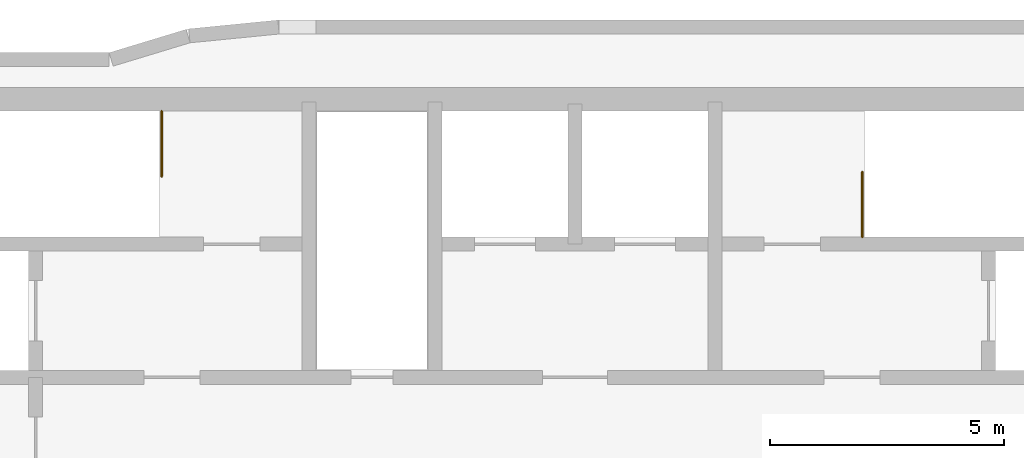
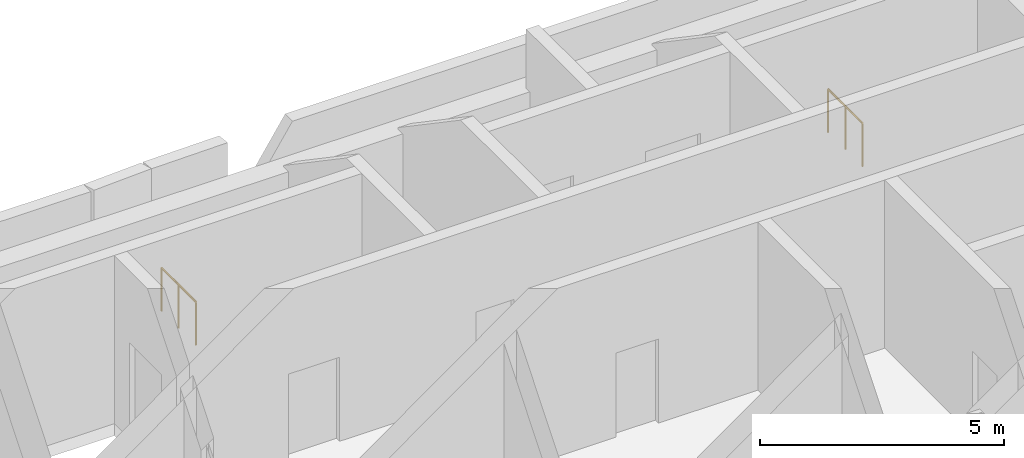
# One storey, part 9 of 9: 2 railings.
"""IFC4 building model written with IfcOpenShell, lengths in metres."""

from ifc_helpers import new_model, si_unit, direction, frame, origin, origin_2d, place, context, subcontext, project, spatial, circle, extrude, material, type_object, element, save


model = new_model("IFC4")

# Units and contexts
model_context = context("Model", 3, precision=1e-05, world=origin(), true_north=direction((0.0, 1.0)))
body_context = subcontext(model_context, "Body", "Model", "MODEL_VIEW")
ifc_project = project(units=[si_unit("LENGTHUNIT", "METRE"), si_unit("AREAUNIT", "SQUARE_METRE"), si_unit("VOLUMEUNIT", "CUBIC_METRE"), si_unit("PLANEANGLEUNIT", "RADIAN"), si_unit("MASSUNIT", "GRAM", prefix="KILO")], contexts=[model_context])

# Site, building, storey
site_placement = place(None, origin())
site = spatial("IfcSite", under=ifc_project, at=site_placement, CompositionType="ELEMENT")
building_placement = place(site_placement, origin())
building = spatial("IfcBuilding", under=site, at=building_placement, Name="Ogive Portal Towers", CompositionType="ELEMENT")
storey_placement = place(building_placement, frame((0.0, 0.0, 281.300048828125)))
storey = spatial("IfcBuildingStorey", under=building, at=storey_placement, Name="L68", CompositionType="ELEMENT", Elevation=281.300048828125)

# Railings
ifc_material = material(Name="Stainless steel balustrade", Category="steel")
railing_type = type_object("IfcRailingType", Name="INT-GUARD", PredefinedType="GUARDRAIL", material=ifc_material)
railing_1_placement = place(storey_placement, frame((37.5, 39.050048828125, 0.0)))
element("IfcRailing", 1, at=railing_1_placement, inside=storey, type_object=railing_type, Name="L68 ST-A1 top well guard 1", PredefinedType="GUARDRAIL", context=body_context, shape_type="SweptSolid", body=[
    extrude(circle(Radius=0.02392578125, at=origin_2d()), frame((0.0, 0.0, 1.076171875), z_axis=(0.0, -1.0, 0.0), x_axis=(1.0, 0.0, 0.0)), (0.0, 0.0, 1.0), 1.400146484375),
    extrude(circle(Radius=0.02099609375, at=origin_2d()), origin(), (0.0, 0.0, 1.0), 1.052001953125),
    extrude(circle(Radius=0.02099609375, at=origin_2d()), frame((0.0, -0.7001953125, 0.0)), (0.0, 0.0, 1.0), 1.052001953125),
    extrude(circle(Radius=0.02099609375, at=origin_2d()), frame((0.0, -1.400146484375, 0.0)), (0.0, 0.0, 1.0), 1.052001953125),
])
railing_2_placement = place(storey_placement, frame((52.5, 36.35009765625, 0.0)))
element("IfcRailing", 2, at=railing_2_placement, inside=storey, type_object=railing_type, Name="L68 ST-A2 top well guard 1", PredefinedType="GUARDRAIL", context=body_context, shape_type="SweptSolid", body=[
    extrude(circle(Radius=0.02392578125, at=origin_2d()), frame((0.0, 0.0, 1.076171875), z_axis=(0.0, 1.0, 0.0), x_axis=(-1.0, 0.0, 0.0)), (0.0, 0.0, 1.0), 1.39990234375),
    extrude(circle(Radius=0.02099609375, at=origin_2d()), origin(), (0.0, 0.0, 1.0), 1.052001953125),
    extrude(circle(Radius=0.02099609375, at=origin_2d()), frame((0.0, 0.699951171875, 0.0)), (0.0, 0.0, 1.0), 1.052001953125),
    extrude(circle(Radius=0.02099609375, at=origin_2d()), frame((0.0, 1.39990234375, 0.0)), (0.0, 0.0, 1.0), 1.052001953125),
])

save(model, "model.ifc")
